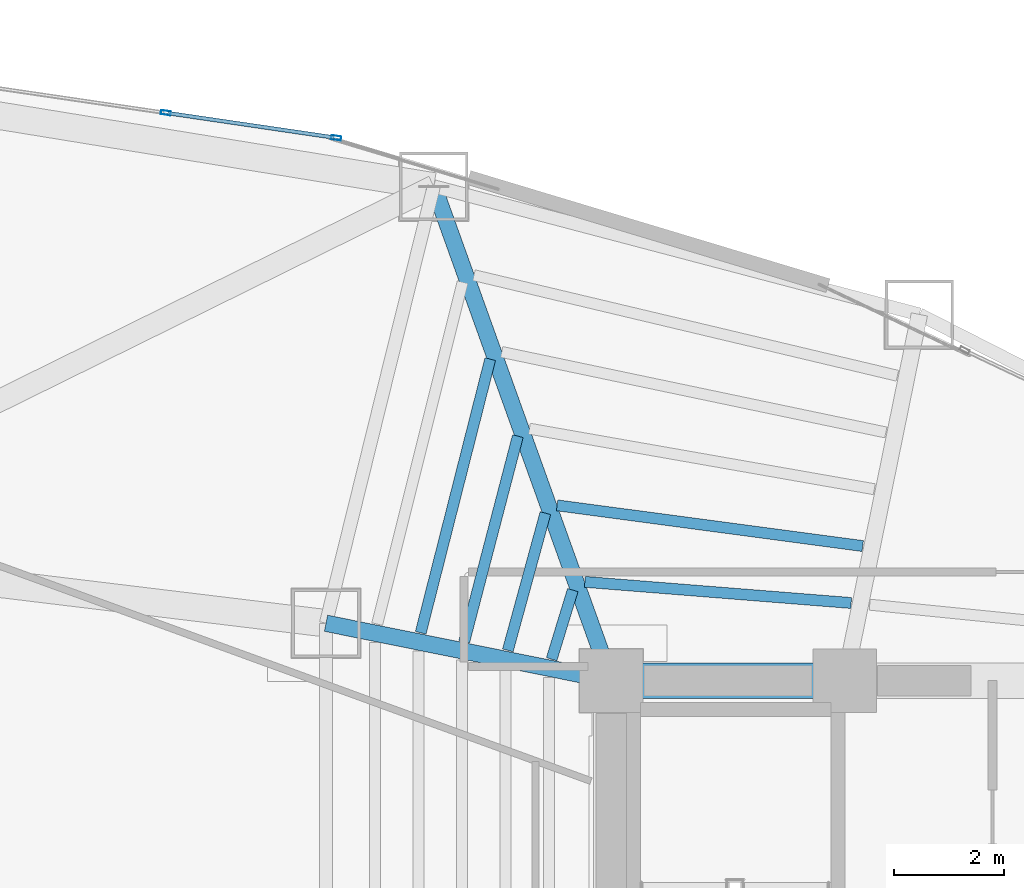
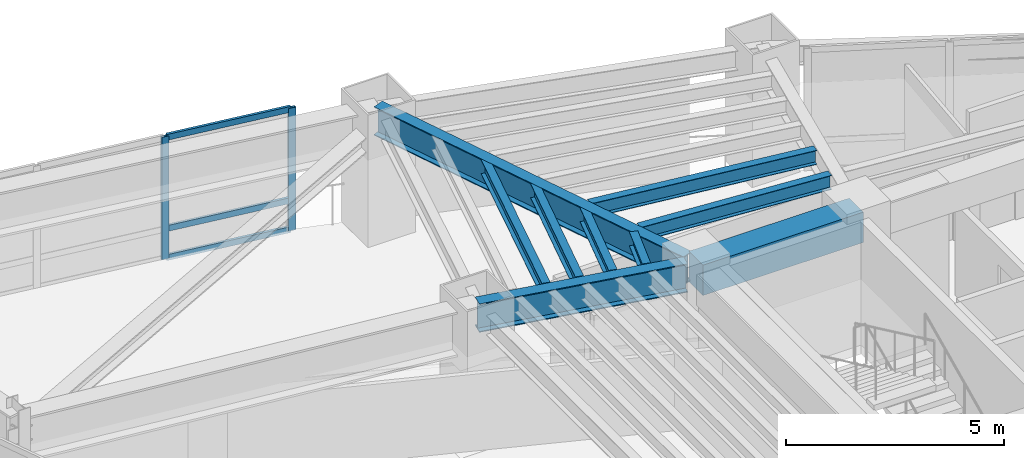
# One storey, part 12 of 25: 9 beams, 5 members, 1 element without a shape of its own.
"""IFC4 building model written with IfcOpenShell, lengths in metres."""

from ifc_helpers import new_model, si_unit, direction, frame, origin, origin_2d, place, context, subcontext, project, spatial, rectangle, hollow_rectangle, i_section, extrude, material, layer, layer_set, material_profile, profile_set, type_object, element, aggregate, save


model = new_model("IFC4")

# Units and contexts
model_context = context("Model", 3, precision=1e-05, world=origin(), true_north=direction((0.0, 1.0)))
body_context = subcontext(model_context, "Body", "Model", "MODEL_VIEW")
ifc_project = project(units=[si_unit("LENGTHUNIT", "METRE"), si_unit("AREAUNIT", "SQUARE_METRE"), si_unit("VOLUMEUNIT", "CUBIC_METRE"), si_unit("PLANEANGLEUNIT", "RADIAN"), si_unit("MASSUNIT", "GRAM", prefix="KILO")], contexts=[model_context])

# Site, building, storey
site_placement = place(None, origin())
site = spatial("IfcSite", under=ifc_project, at=site_placement, CompositionType="ELEMENT")
building_placement = place(site_placement, origin())
building = spatial("IfcBuilding", under=site, at=building_placement, Name="Menara Vayukalpa", CompositionType="ELEMENT")
storey_placement = place(building_placement, frame((0.0, 0.0, 115.139892578125)))
storey = spatial("IfcBuildingStorey", under=building, at=storey_placement, Name="L28", CompositionType="ELEMENT", Elevation=115.139892578125)

# Beams
ifc_material_1 = material(Name="Concrete C60/75", Category="concrete")
ifc_material_profile_1 = material_profile(ifc_material_1, rectangle(XDim=0.64990234375, YDim=0.85009765625, at=origin_2d()), Name="RC 650x850")
ifc_profile_set_1 = profile_set([ifc_material_profile_1], Name="Concrete C60/75")
beam_type_1 = type_object("IfcBeamType", Name="BM-CB1", PredefinedType="BEAM", material=ifc_profile_set_1)
beam_1_placement = place(storey_placement, frame((17.800048828125, 26.800048828125, 3.01513671875), z_axis=(1.0, 0.0, 0.0), x_axis=(0.0, 1.0, 0.0)))
element("IfcBeam", 1, at=beam_1_placement, inside=storey, type_object=beam_type_1, Name="L28 Core Tie Beam CBR4", PredefinedType="BEAM", context=body_context, shape_type="SweptSolid", body=[
    extrude(rectangle(XDim=0.64990234375, YDim=0.85009765625, at=origin_2d()), origin(), (0.0, 0.0, 1.0), 4.25),
])
ifc_material_2 = material(Name="Steel S355", Category="steel")
ifc_material_profile_2 = material_profile(ifc_material_2, i_section(OverallWidth=0.300048828125, OverallDepth=0.800048828125, WebThickness=0.013916015625, FlangeThickness=0.02587890625, at=origin_2d()), Name="WF 800x300x14x26")
ifc_profile_set_2 = profile_set([ifc_material_profile_2], Name="Steel S355")
beam_type_2 = type_object("IfcBeamType", Name="BM-PG3", PredefinedType="BEAM", material=ifc_profile_set_2)
beam_2_placement = place(storey_placement, frame((17.715576171875, 27.035400390625, 3.0400390625), z_axis=(-0.337975542909, 0.941154892882, 0.0), x_axis=(-0.941154892882, -0.337975542909, 0.0)))
element("IfcBeam", 2, at=beam_2_placement, inside=storey, type_object=beam_type_2, Name="L28 Primary Radial Girder RG04", PredefinedType="BEAM", context=body_context, shape_type="SweptSolid", body=[
    extrude(i_section(OverallWidth=0.300048828125, OverallDepth=0.800048828125, WebThickness=0.013916015625, FlangeThickness=0.02587890625, at=origin_2d()), origin(), (0.0, 0.0, 1.0), 9.309814453125),
])
beam_3_placement = place(storey_placement, frame((17.554931640625, 26.849365234375, 3.0400390625), z_axis=(-0.980324984906, 0.197390283373, 0.0), x_axis=(-0.197390283373, -0.980324984906, 0.0)))
element("IfcBeam", 3, at=beam_3_placement, inside=storey, type_object=beam_type_2, Name="L28 Primary Radial Girder RG05", PredefinedType="BEAM", context=body_context, shape_type="SweptSolid", body=[
    extrude(i_section(OverallWidth=0.300048828125, OverallDepth=0.800048828125, WebThickness=0.013916015625, FlangeThickness=0.02587890625, at=origin_2d()), origin(), (0.0, 0.0, 1.0), 5.047607421875),
])
ifc_material_3 = material(Name="Steel S355", Category="steel")
ifc_material_profile_3 = material_profile(ifc_material_3, i_section(OverallWidth=0.199951171875, OverallDepth=0.39990234375, WebThickness=0.008056640625, FlangeThickness=0.012939453125, at=origin_2d()), Name="WF 400x200x8x13")
ifc_profile_set_3 = profile_set([ifc_material_profile_3], Name="Steel S355")
beam_type_3 = type_object("IfcBeamType", Name="BM-SJ2", PredefinedType="JOIST", material=ifc_profile_set_3)
beam_4_placement = place(storey_placement, frame((22.166015625, 28.214599609375, 3.239990234375), z_axis=(-0.996868534468, 0.079076703187, 0.0), x_axis=(-0.079076703187, -0.996868534468, 0.0)))
element("IfcBeam", 4, at=beam_4_placement, inside=storey, type_object=beam_type_3, Name="L28 Secondary Floor Joist SJ03-1", PredefinedType="JOIST", context=body_context, shape_type="SweptSolid", body=[
    extrude(i_section(OverallWidth=0.199951171875, OverallDepth=0.39990234375, WebThickness=0.008056640625, FlangeThickness=0.012939453125, at=origin_2d()), origin(), (0.0, 0.0, 1.0), 4.862548828125),
])
beam_5_placement = place(storey_placement, frame((22.376220703125, 29.251220703125, 3.239990234375), z_axis=(-0.991248408809, 0.132009817941, 0.0), x_axis=(-0.132009817941, -0.991248408809, 0.0)))
element("IfcBeam", 5, at=beam_5_placement, inside=storey, type_object=beam_type_3, Name="L28 Secondary Floor Joist SJ03-2", PredefinedType="JOIST", context=body_context, shape_type="SweptSolid", body=[
    extrude(i_section(OverallWidth=0.199951171875, OverallDepth=0.39990234375, WebThickness=0.008056640625, FlangeThickness=0.012939453125, at=origin_2d()), origin(), (0.0, 0.0, 1.0), 5.611083984375),
])
beam_6_placement = place(storey_placement, frame((17.099365234375, 28.449951171875, 3.239990234375), z_axis=(-0.292651981473, -0.956219021846, 0.0), x_axis=(0.956219021846, -0.292651981473, 0.0)))
element("IfcBeam", 6, at=beam_6_placement, inside=storey, type_object=beam_type_3, Name="L28 Secondary Floor Joist SJ04-1", PredefinedType="JOIST", context=body_context, shape_type="SweptSolid", body=[
    extrude(i_section(OverallWidth=0.199951171875, OverallDepth=0.39990234375, WebThickness=0.008056640625, FlangeThickness=0.012939453125, at=origin_2d()), origin(), (0.0, 0.0, 1.0), 1.31640625),
])
beam_7_placement = place(storey_placement, frame((16.600830078125, 29.850341796875, 3.239990234375), z_axis=(-0.263922858843, -0.964543790908, 0.0), x_axis=(0.964543790908, -0.263922858843, 0.0)))
element("IfcBeam", 7, at=beam_7_placement, inside=storey, type_object=beam_type_3, Name="L28 Secondary Floor Joist SJ04-2", PredefinedType="JOIST", context=body_context, shape_type="SweptSolid", body=[
    extrude(i_section(OverallWidth=0.199951171875, OverallDepth=0.39990234375, WebThickness=0.008056640625, FlangeThickness=0.012939453125, at=origin_2d()), origin(), (0.0, 0.0, 1.0), 2.590087890625),
])
beam_8_placement = place(storey_placement, frame((16.099365234375, 31.251953125, 3.239990234375), z_axis=(-0.252406469257, -0.967621296933, 0.0), x_axis=(0.967621296933, -0.252406469257, 0.0)))
element("IfcBeam", 8, at=beam_8_placement, inside=storey, type_object=beam_type_3, Name="L28 Secondary Floor Joist SJ04-3", PredefinedType="JOIST", context=body_context, shape_type="SweptSolid", body=[
    extrude(i_section(OverallWidth=0.199951171875, OverallDepth=0.39990234375, WebThickness=0.008056640625, FlangeThickness=0.012939453125, at=origin_2d()), origin(), (0.0, 0.0, 1.0), 3.865234375),
])
beam_9_placement = place(storey_placement, frame((15.596923828125, 32.653564453125, 3.239990234375), z_axis=(-0.246311066692, -0.969190826631, 0.0), x_axis=(0.969190826631, -0.246311066692, 0.0)))
element("IfcBeam", 9, at=beam_9_placement, inside=storey, type_object=beam_type_3, Name="L28 Secondary Floor Joist SJ04-4", PredefinedType="JOIST", context=body_context, shape_type="SweptSolid", body=[
    extrude(i_section(OverallWidth=0.199951171875, OverallDepth=0.39990234375, WebThickness=0.008056640625, FlangeThickness=0.012939453125, at=origin_2d()), origin(), (0.0, 0.0, 1.0), 5.140380859375),
])

# Curtain wall, members
ifc_material_4 = material(Name="Anodised Terracotta Aluminium Alloy 6063-T6", Category="masonry")
ifc_layer = layer(ifc_material_4, 0.179931640625)
ifc_layer_set = layer_set([ifc_layer], Name="Anodised Terracotta Aluminium Alloy 6063-T6")
curtain_wall_type = type_object("IfcCurtainWallType", Name="CW-CW4", PredefinedType="USERDEFINED", material=ifc_layer_set)
curtain_wall_placement = place(storey_placement, origin())
curtain_wall = element("IfcCurtainWall", 10, at=curtain_wall_placement, inside=storey, type_object=curtain_wall_type, Name="L28 Sky Bar Cantilever Glazed Curtain Wall CW4 07", ObjectType="UNITISED", PredefinedType="USERDEFINED")
ifc_material_5 = material(Name="Anodised Terracotta Aluminium Alloy 6063-T6", Category="masonry")
ifc_material_profile_4 = material_profile(ifc_material_5, hollow_rectangle(XDim=0.074951171875, YDim=0.179931640625, WallThickness=0.00390625, at=origin_2d()), Name="ALU 75x180x4")
ifc_profile_set_4 = profile_set([ifc_material_profile_4], Name="Anodised Terracotta Aluminium Alloy 6063-T6")
member_type_1 = type_object("IfcMemberType", Name="CWM-CW4", PredefinedType="MULLION", material=ifc_profile_set_4)
member_1_placement = place(storey_placement, frame((12.792236328125, 36.681396484375, 0.0), z_axis=(0.0, 0.0, 1.0), x_axis=(-0.145450733924, -0.989365495659, 0.0)))
member_1 = element("IfcMember", 11, at=member_1_placement, type_object=member_type_1, Name="CW4 mullion 1", PredefinedType="MULLION", context=body_context, shape_type="SweptSolid", body=[
    extrude(hollow_rectangle(XDim=0.074951171875, YDim=0.179931640625, WallThickness=0.00390625, at=origin_2d()), origin(), (0.0, 0.0, 1.0), 3.440185546875),
])
member_2_placement = place(storey_placement, frame((9.690673828125, 37.137451171875, 0.0), z_axis=(0.0, 0.0, 1.0), x_axis=(-0.145450733924, -0.989365495659, 0.0)))
member_2 = element("IfcMember", 12, at=member_2_placement, type_object=member_type_1, Name="CW4 mullion 2", PredefinedType="MULLION", context=body_context, shape_type="SweptSolid", body=[
    extrude(hollow_rectangle(XDim=0.074951171875, YDim=0.179931640625, WallThickness=0.00390625, at=origin_2d()), origin(), (0.0, 0.0, 1.0), 3.440185546875),
])
ifc_material_6 = material(Name="Anodised Terracotta Aluminium Alloy 6063-T6", Category="masonry")
ifc_material_profile_5 = material_profile(ifc_material_6, hollow_rectangle(XDim=0.070068359375, YDim=0.1650390625, WallThickness=0.00390625, at=origin_2d()), Name="ALU 70x165x4")
ifc_profile_set_5 = profile_set([ifc_material_profile_5], Name="Anodised Terracotta Aluminium Alloy 6063-T6")
member_type_2 = type_object("IfcMemberType", Name="CWT-CW4", PredefinedType="USERDEFINED", material=ifc_profile_set_5)
member_3_placement = place(storey_placement, frame((12.755126953125, 36.68701171875, 0.03515625), z_axis=(-0.989365214837, 0.145452644084, 0.0), x_axis=(-0.145452644084, -0.989365214837, 0.0)))
member_3 = element("IfcMember", 13, at=member_3_placement, type_object=member_type_2, Name="CW4 transom 1.1", ObjectType="TRANSOM", PredefinedType="USERDEFINED", context=body_context, shape_type="SweptSolid", body=[
    extrude(hollow_rectangle(XDim=0.070068359375, YDim=0.1650390625, WallThickness=0.00390625, at=origin_2d()), origin(), (0.0, 0.0, 1.0), 3.059814453125),
])
member_4_placement = place(storey_placement, frame((12.755126953125, 36.68701171875, 0.85009765625), z_axis=(-0.989365214837, 0.145452644084, 0.0), x_axis=(-0.145452644084, -0.989365214837, 0.0)))
member_4 = element("IfcMember", 14, at=member_4_placement, type_object=member_type_2, Name="CW4 transom 1.2", ObjectType="TRANSOM", PredefinedType="USERDEFINED", context=body_context, shape_type="SweptSolid", body=[
    extrude(hollow_rectangle(XDim=0.070068359375, YDim=0.1650390625, WallThickness=0.00390625, at=origin_2d()), origin(), (0.0, 0.0, 1.0), 3.059814453125),
])
member_5_placement = place(storey_placement, frame((12.755126953125, 36.68701171875, 3.405029296875), z_axis=(-0.989365214837, 0.145452644084, 0.0), x_axis=(-0.145452644084, -0.989365214837, 0.0)))
member_5 = element("IfcMember", 15, at=member_5_placement, type_object=member_type_2, Name="CW4 transom 1.3", ObjectType="TRANSOM", PredefinedType="USERDEFINED", context=body_context, shape_type="SweptSolid", body=[
    extrude(hollow_rectangle(XDim=0.070068359375, YDim=0.1650390625, WallThickness=0.00390625, at=origin_2d()), origin(), (0.0, 0.0, 1.0), 3.059814453125),
])
aggregate(curtain_wall, [member_1, member_2, member_3, member_4, member_5])

save(model, "model.ifc")
